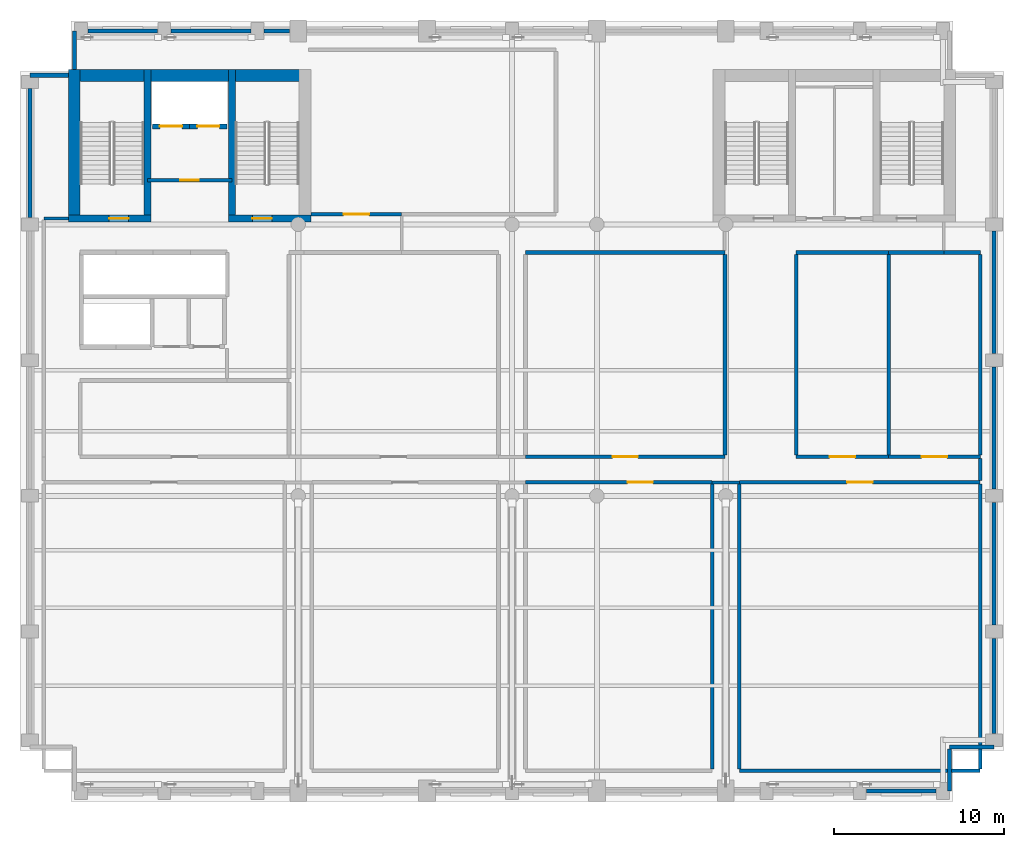
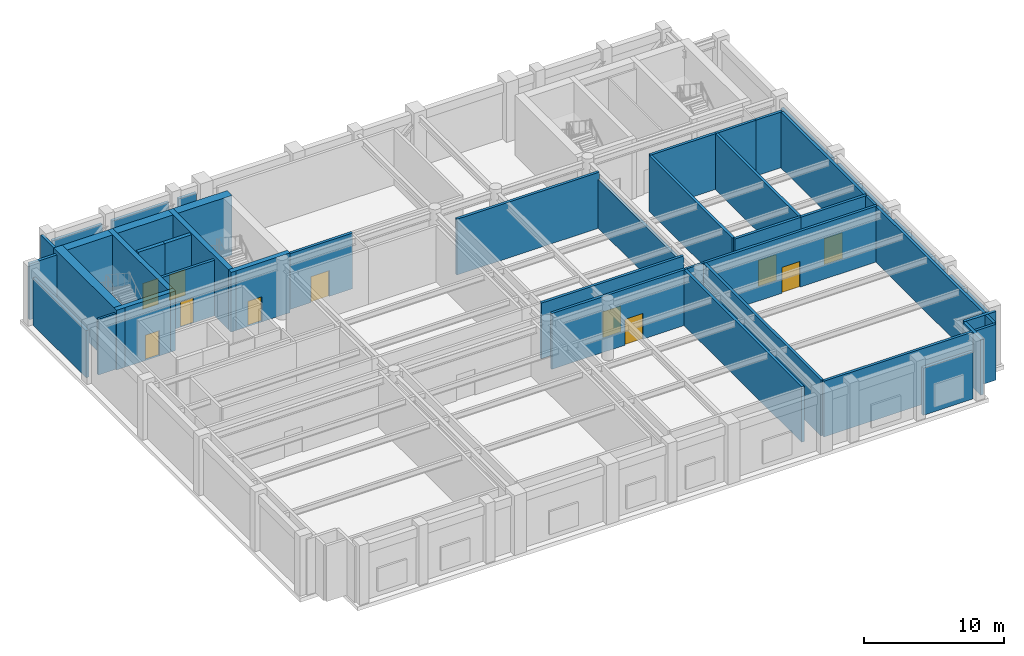
# One storey, part 6 of 11: 43 walls, 11 doors, 11 openings.
"""IFC4 building model written with IfcOpenShell, lengths in metres."""

from ifc_helpers import new_model, si_unit, direction, frame, frame_2d, origin, place, context, subcontext, project, spatial, rectangle, extrude, material, layer, layer_set, type_object, element, fill, save


model = new_model("IFC4")

# Units and contexts
model_context = context("Model", 3, precision=1e-05, world=origin(), true_north=direction((0.0, 1.0)))
body_context = subcontext(model_context, "Body", "Model", "MODEL_VIEW")
ifc_project = project(units=[si_unit("LENGTHUNIT", "METRE"), si_unit("AREAUNIT", "SQUARE_METRE"), si_unit("VOLUMEUNIT", "CUBIC_METRE"), si_unit("PLANEANGLEUNIT", "RADIAN"), si_unit("MASSUNIT", "GRAM", prefix="KILO")], contexts=[model_context])

# Site, building, storey
site_placement = place(None, origin())
site = spatial("IfcSite", under=ifc_project, at=site_placement, CompositionType="ELEMENT")
building_placement = place(site_placement, origin())
building = spatial("IfcBuilding", under=site, at=building_placement, Name="Sulina Concourse Tower", CompositionType="ELEMENT")
storey_placement = place(building_placement, frame((0.0, 0.0, 238.60009765625)))
storey = spatial("IfcBuildingStorey", under=building, at=storey_placement, Name="L58", CompositionType="ELEMENT", Elevation=238.60009765625)

# Wall, opening, door
ifc_material_1 = material(Name="Concrete C50/60", Category="concrete")
ifc_layer_1 = layer(ifc_material_1, 0.300048828125)
ifc_layer_set_1 = layer_set([ifc_layer_1], Name="Concrete C50/60")
wall_type_1 = type_object("IfcWallType", Name="Core Lift Hoistway Wall 300mm", PredefinedType="SOLIDWALL", material=ifc_layer_set_1)
wall_1_placement = place(storey_placement, frame((10.0, 39.780029296875, 0.0), z_axis=(0.0, 0.0, 1.0), x_axis=(-1.0, 0.0, 0.0)))
wall_1 = element("IfcWall", 1, at=wall_1_placement, inside=storey, type_object=wall_type_1, Name="L58 hoistway enclosure wall FFL-1", PredefinedType="SOLIDWALL", context=body_context, shape_type="SweptSolid", body=[
    extrude(rectangle(XDim=2.199951171875, YDim=0.300048828125, at=frame_2d((1.10009765625, 0.0))), origin(), (0.0, 0.0, 1.0), 5.199951171875),
])
opening_1_placement = place(wall_1_placement, frame((0.449951171875, 0.0, 0.0)))
opening_1 = element("IfcOpeningElement", 2, at=opening_1_placement, cuts=wall_1, Name="Opening LD-02", PredefinedType="OPENING", context=body_context, shape_type="SweptSolid", body=[
    extrude(rectangle(XDim=1.300048828125, YDim=2.25, at=frame_2d((0.64990234375, 1.125))), frame((0.0, 0.159912109375, 0.0), z_axis=(0.0, -1.0, 0.0), x_axis=(1.0, 0.0, 0.0)), (0.0, 0.0, 1.0), 0.320068359375),
])
ifc_material_2 = material(Name="Stainless steel lift landing door", Category="steel")
ifc_layer_2 = layer(ifc_material_2, 0.050048828125)
ifc_layer_set_2 = layer_set([ifc_layer_2], Name="Stainless steel lift landing door")
door_type_1 = type_object("IfcDoorType", Name="Firefighting Lift Sliding Landing Door 1300x2250", OperationType="SLIDING_TO_RIGHT", PredefinedType="DOOR", material=ifc_layer_set_2)
door_1_placement = place(opening_1_placement, origin())
door_1 = element("IfcDoor", 3, at=door_1_placement, inside=storey, type_object=door_type_1, Name="L58 lift landing sliding door FFL-1", OperationType="SLIDING_TO_LEFT", OverallHeight=2.25, OverallWidth=1.300048828125, PredefinedType="DOOR", context=body_context, shape_type="SweptSolid", body=[
    extrude(rectangle(XDim=1.300048828125, YDim=2.25, at=frame_2d((0.64990234375, 1.125))), frame((0.0, 0.02490234375, 0.0), z_axis=(0.0, -1.0, 0.0), x_axis=(1.0, 0.0, 0.0)), (0.0, 0.0, 1.0), 0.050048828125),
])
fill(opening_1, door_1)

wall_2_placement = place(storey_placement, frame((12.199951171875, 39.780029296875, 0.0), z_axis=(0.0, 0.0, 1.0), x_axis=(-1.0, 0.0, 0.0)))
wall_2 = element("IfcWall", 4, at=wall_2_placement, inside=storey, type_object=wall_type_1, Name="L58 hoistway enclosure wall FFL-2", PredefinedType="SOLIDWALL", context=body_context, shape_type="SweptSolid", body=[
    extrude(rectangle(XDim=2.199951171875, YDim=0.300048828125, at=frame_2d((1.10009765625, 0.0))), origin(), (0.0, 0.0, 1.0), 5.199951171875),
])
opening_2_placement = place(wall_2_placement, frame((0.449951171875, 0.0, 0.0)))
opening_2 = element("IfcOpeningElement", 5, at=opening_2_placement, cuts=wall_2, Name="Opening LD-02", PredefinedType="OPENING", context=body_context, shape_type="SweptSolid", body=[
    extrude(rectangle(XDim=1.300048828125, YDim=2.25, at=frame_2d((0.64990234375, 1.125))), frame((0.0, 0.159912109375, 0.0), z_axis=(0.0, -1.0, 0.0), x_axis=(1.0, 0.0, 0.0)), (0.0, 0.0, 1.0), 0.320068359375),
])
door_2_placement = place(opening_2_placement, origin())
door_2 = element("IfcDoor", 6, at=door_2_placement, inside=storey, type_object=door_type_1, Name="L58 lift landing sliding door FFL-2", OperationType="SLIDING_TO_RIGHT", OverallHeight=2.25, OverallWidth=1.300048828125, PredefinedType="DOOR", context=body_context, shape_type="SweptSolid", body=[
    extrude(rectangle(XDim=1.300048828125, YDim=2.25, at=frame_2d((0.64990234375, 1.125))), frame((0.0, 0.02490234375, 0.0), z_axis=(0.0, -1.0, 0.0), x_axis=(1.0, 0.0, 0.0)), (0.0, 0.0, 1.0), 0.050048828125),
])
fill(opening_2, door_2)

# Walls
ifc_material_3 = material(Name="Precast concrete C50/60", Category="concrete")
ifc_layer_3 = layer(ifc_material_3, 0.239990234375)
ifc_layer_set_3 = layer_set([ifc_layer_3], Name="Precast concrete C50/60")
wall_type_2 = type_object("IfcWallType", Name="Crown Precast Masonry-Frame Facade Wall 240mm", PredefinedType="SOLIDWALL", material=ifc_layer_set_3)
wall_3_placement = place(storey_placement, frame((54.0048828125, 0.60009765625, 0.0), z_axis=(0.0, 0.0, 1.0), x_axis=(-1.0, 0.0, 0.0)))
element("IfcWall", 7, at=wall_3_placement, inside=storey, type_object=wall_type_2, Name="L58 exterior precast wall S10", PredefinedType="SOLIDWALL", context=body_context, shape_type="SweptSolid", body=[
    extrude(rectangle(XDim=4.10986328125, YDim=0.239990234375, at=frame_2d((2.054931640625, 0.0))), origin(), (0.0, 0.0, 1.0), 4.10986328125),
])
wall_4_placement = place(storey_placement, frame((0.60009765625, 34.39501953125, 0.0), z_axis=(0.0, 0.0, 1.0), x_axis=(0.0, 1.0, 0.0)))
element("IfcWall", 8, at=wall_4_placement, inside=storey, type_object=wall_type_2, Name="L58 exterior precast wall W5", PredefinedType="SOLIDWALL", context=body_context, shape_type="SweptSolid", body=[
    extrude(rectangle(XDim=7.60986328125, YDim=0.239990234375, at=frame_2d((3.804931640625, 0.0))), origin(), (0.0, 0.0, 1.0), 4.10986328125),
])
wall_5_placement = place(storey_placement, frame((3.9951171875, 45.39990234375, 0.0), z_axis=(0.0, 0.0, 1.0), x_axis=(1.0, 0.0, 0.0)))
element("IfcWall", 9, at=wall_5_placement, inside=storey, type_object=wall_type_2, Name="L58 exterior precast wall N1", PredefinedType="SOLIDWALL", context=body_context, shape_type="SweptSolid", body=[
    extrude(rectangle(XDim=4.10986328125, YDim=0.239990234375, at=frame_2d((2.054931640625, 0.0))), origin(), (0.0, 0.0, 1.0), 4.10986328125),
])
wall_6_placement = place(storey_placement, frame((8.89501953125, 45.39990234375, 0.0), z_axis=(0.0, 0.0, 1.0), x_axis=(1.0, 0.0, 0.0)))
element("IfcWall", 10, at=wall_6_placement, inside=storey, type_object=wall_type_2, Name="L58 exterior precast wall N2", PredefinedType="SOLIDWALL", context=body_context, shape_type="SweptSolid", body=[
    extrude(rectangle(XDim=4.7099609375, YDim=0.239990234375, at=frame_2d((2.35498046875, 0.0))), origin(), (0.0, 0.0, 1.0), 4.10986328125),
])
wall_7_placement = place(storey_placement, frame((14.39501953125, 45.39990234375, 0.0), z_axis=(0.0, 0.0, 1.0), x_axis=(1.0, 0.0, 0.0)))
element("IfcWall", 11, at=wall_7_placement, inside=storey, type_object=wall_type_2, Name="L58 exterior precast wall N3", PredefinedType="SOLIDWALL", context=body_context, shape_type="SweptSolid", body=[
    extrude(rectangle(XDim=1.48486328125, YDim=0.239990234375, at=frame_2d((0.742431640625, 0.0))), origin(), (0.0, 0.0, 1.0), 4.10986328125),
])
wall_8_placement = place(storey_placement, frame((57.39990234375, 9.60498046875, 0.0), z_axis=(0.0, 0.0, 1.0), x_axis=(0.0, -1.0, 0.0)))
element("IfcWall", 12, at=wall_8_placement, inside=storey, type_object=wall_type_2, Name="L58 exterior precast wall E1", PredefinedType="SOLIDWALL", context=body_context, shape_type="SweptSolid", body=[
    extrude(rectangle(XDim=5.60986328125, YDim=0.239990234375, at=frame_2d((2.804931640625, 0.0))), origin(), (0.0, 0.0, 1.0), 4.10986328125),
])
for number, where, z_axis, x_axis, name in (
    (13, (57.39990234375, 17.60498046875, 0.0), (0.0, 0.0, 1.0), (0.0, -1.0, 0.0), "L58 exterior precast wall E2"),
    (14, (57.39990234375, 25.60498046875, 0.0), (0.0, 0.0, 1.0), (0.0, -1.0, 0.0), "L58 exterior precast wall E3"),
    (15, (57.39990234375, 33.60498046875, 0.0), (0.0, 0.0, 1.0), (0.0, -1.0, 0.0), "L58 exterior precast wall E4"),
):
    element("IfcWall", number, at=place(storey_placement, frame(where, z_axis=z_axis, x_axis=x_axis)), inside=storey, type_object=wall_type_2, Name=name, PredefinedType="SOLIDWALL", context=body_context, shape_type="SweptSolid", body=[
        extrude(rectangle(XDim=7.2099609375, YDim=0.239990234375, at=frame_2d((3.60498046875, 0.0))), origin(), (0.0, 0.0, 1.0), 4.10986328125),
    ])
wall_9_placement = place(storey_placement, frame((0.60009765625, 42.794921875, 0.0), z_axis=(0.0, 0.0, 1.0), x_axis=(1.0, 0.0, 0.0)))
element("IfcWall", 16, at=wall_9_placement, inside=storey, type_object=wall_type_2, Name="L58 exterior precast wall CNW1", PredefinedType="SOLIDWALL", context=body_context, shape_type="SweptSolid", body=[
    extrude(rectangle(XDim=2.244873046875, YDim=0.239990234375, at=frame_2d((1.12255859375, 0.0))), origin(), (0.0, 0.0, 1.0), 4.85986328125),
])
wall_10_placement = place(storey_placement, frame((3.205078125, 43.135009765625, 0.0), z_axis=(0.0, 0.0, 1.0), x_axis=(0.0, 1.0, 0.0)))
element("IfcWall", 17, at=wall_10_placement, inside=storey, type_object=wall_type_2, Name="L58 exterior precast wall CNW2", PredefinedType="SOLIDWALL", context=body_context, shape_type="SweptSolid", body=[
    extrude(rectangle(XDim=2.264892578125, YDim=0.239990234375, at=frame_2d((1.13232421875, 0.0))), origin(), (0.0, 0.0, 1.0), 4.85986328125),
])
wall_11_placement = place(storey_placement, frame((57.39990234375, 3.205078125, 0.0), z_axis=(0.0, 0.0, 1.0), x_axis=(-1.0, 0.0, 0.0)))
element("IfcWall", 18, at=wall_11_placement, inside=storey, type_object=wall_type_2, Name="L58 exterior precast wall CSE1", PredefinedType="SOLIDWALL", context=body_context, shape_type="SweptSolid", body=[
    extrude(rectangle(XDim=2.60498046875, YDim=0.239990234375, at=frame_2d((1.302490234375, 0.0))), origin(), (0.0, 0.0, 1.0), 4.85986328125),
])
wall_12_placement = place(storey_placement, frame((54.794921875, 3.080078125, 0.0), z_axis=(0.0, 0.0, 1.0), x_axis=(0.0, -1.0, 0.0)))
element("IfcWall", 19, at=wall_12_placement, inside=storey, type_object=wall_type_2, Name="L58 exterior precast wall CSE2", PredefinedType="SOLIDWALL", context=body_context, shape_type="SweptSolid", body=[
    extrude(rectangle(XDim=2.47998046875, YDim=0.239990234375, at=frame_2d((1.239990234375, 0.0))), origin(), (0.0, 0.0, 1.0), 4.85986328125),
])

# Wall, opening, door
ifc_material_4 = material(Name="Gypsum board on steel stud", Category="steel")
ifc_layer_4 = layer(ifc_material_4, 0.219970703125)
ifc_layer_set_4 = layer_set([ifc_layer_4], Name="Gypsum board on steel stud")
wall_type_3 = type_object("IfcWallType", Name="Fire-Rated Lobby & Compartment Wall 220mm", PredefinedType="PARTITIONING", material=ifc_layer_set_4)
wall_13_placement = place(storey_placement, frame((7.510009765625, 36.60009765625, 0.0), z_axis=(0.0, 0.0, 1.0), x_axis=(1.0, 0.0, 0.0)))
wall_13 = element("IfcWall", 20, at=wall_13_placement, inside=storey, type_object=wall_type_3, Name="L58 firefighting lobby south fire wall", PredefinedType="PARTITIONING", context=body_context, shape_type="SweptSolid", body=[
    extrude(rectangle(XDim=4.97998046875, YDim=0.219970703125, at=frame_2d((2.489990234375, 0.0))), origin(), (0.0, 0.0, 1.0), 4.85986328125),
])
opening_3_placement = place(wall_13_placement, frame((1.93994140625, 0.0, 0.0)))
opening_3 = element("IfcOpeningElement", 21, at=opening_3_placement, cuts=wall_13, Name="Opening DR-47", PredefinedType="OPENING", context=body_context, shape_type="SweptSolid", body=[
    extrude(rectangle(XDim=1.10009765625, YDim=2.199951171875, at=frame_2d((0.550048828125, 1.10009765625))), frame((0.0, 0.119873046875, 0.0), z_axis=(0.0, -1.0, 0.0), x_axis=(1.0, 0.0, 0.0)), (0.0, 0.0, 1.0), 0.239990234375),
])
ifc_material_5 = material(Name="Galvanised steel acoustic fire leaf", Category="steel")
ifc_layer_5 = layer(ifc_material_5, 0.054931640625)
ifc_layer_set_5 = layer_set([ifc_layer_5], Name="Galvanised steel acoustic fire leaf")
door_type_2 = type_object("IfcDoorType", Name="Firefighting Lobby Fire Door 1100x2200", OperationType="NOTDEFINED", PredefinedType="DOOR", material=ifc_layer_set_5)
door_3_placement = place(opening_3_placement, origin())
door_3 = element("IfcDoor", 22, at=door_3_placement, inside=storey, type_object=door_type_2, Name="L58 firefighting lobby fire door", OperationType="SINGLE_SWING_LEFT", OverallHeight=2.199951171875, OverallWidth=1.10009765625, PredefinedType="DOOR", context=body_context, shape_type="SweptSolid", body=[
    extrude(rectangle(XDim=1.10009765625, YDim=2.199951171875, at=frame_2d((0.550048828125, 1.10009765625))), frame((0.0, 0.02490234375, 0.0), z_axis=(0.0, -1.0, 0.0), x_axis=(1.0, 0.0, 0.0)), (0.0, 0.0, 1.0), 0.050048828125),
])
fill(opening_3, door_3)

# Wall
wall_14_placement = place(storey_placement, frame((42.39990234375, 1.800048828125, 0.0), z_axis=(0.0, 0.0, 1.0), x_axis=(1.0, 0.0, 0.0)))
element("IfcWall", 23, at=wall_14_placement, inside=storey, type_object=wall_type_3, Name="L58 interior partition 004", PredefinedType="PARTITIONING", context=body_context, shape_type="SweptSolid", body=[
    extrude(rectangle(XDim=14.2001953125, YDim=0.219970703125, at=frame_2d((7.10009765625, 0.0))), origin(), (0.0, 0.0, 1.0), 4.85986328125),
])

# Wall, opening, door
wall_15_placement = place(storey_placement, frame((29.800048828125, 18.800048828125, 0.0), z_axis=(0.0, 0.0, 1.0), x_axis=(1.0, 0.0, 0.0)))
wall_15 = element("IfcWall", 24, at=wall_15_placement, inside=storey, type_object=wall_type_3, Name="L58 interior partition 009", PredefinedType="PARTITIONING", context=body_context, shape_type="SweptSolid", body=[
    extrude(rectangle(XDim=11.0, YDim=0.219970703125, at=frame_2d((5.5, 0.0))), origin(), (0.0, 0.0, 1.0), 4.85986328125),
])
opening_4_placement = place(wall_15_placement, frame((6.010009765625, 0.0, 0.0)))
opening_4 = element("IfcOpeningElement", 25, at=opening_4_placement, cuts=wall_15, Name="Opening DR-80", PredefinedType="OPENING", context=body_context, shape_type="SweptSolid", body=[
    extrude(rectangle(XDim=1.5, YDim=2.25, at=frame_2d((0.75, 1.125))), frame((0.0, 0.119873046875, 0.0), z_axis=(0.0, -1.0, 0.0), x_axis=(1.0, 0.0, 0.0)), (0.0, 0.0, 1.0), 0.239990234375),
])
ifc_material_6 = material(Name="Galvanised steel acoustic fire leaf", Category="steel")
ifc_layer_6 = layer(ifc_material_6, 0.054931640625)
ifc_layer_set_6 = layer_set([ifc_layer_6], Name="Galvanised steel acoustic fire leaf")
door_type_3 = type_object("IfcDoorType", Name="Mechanical Plant Double Fire Door 1500x2250", OperationType="DOUBLE_DOOR_SINGLE_SWING", PredefinedType="DOOR", material=ifc_layer_set_6)
door_4_placement = place(opening_4_placement, origin())
door_4 = element("IfcDoor", 26, at=door_4_placement, inside=storey, type_object=door_type_3, Name="L58 interior door L58-CHILLER-2", OperationType="DOUBLE_DOOR_SINGLE_SWING", OverallHeight=2.25, OverallWidth=1.5, PredefinedType="DOOR", context=body_context, shape_type="SweptSolid", body=[
    extrude(rectangle(XDim=1.5, YDim=2.25, at=frame_2d((0.75, 1.125))), frame((0.0, 0.02490234375, 0.0), z_axis=(0.0, -1.0, 0.0), x_axis=(1.0, 0.0, 0.0)), (0.0, 0.0, 1.0), 0.050048828125),
])
fill(opening_4, door_4)

wall_16_placement = place(storey_placement, frame((42.39990234375, 18.800048828125, 0.0), z_axis=(0.0, 0.0, 1.0), x_axis=(1.0, 0.0, 0.0)))
wall_16 = element("IfcWall", 27, at=wall_16_placement, inside=storey, type_object=wall_type_3, Name="L58 interior partition 011", PredefinedType="PARTITIONING", context=body_context, shape_type="SweptSolid", body=[
    extrude(rectangle(XDim=14.2001953125, YDim=0.219970703125, at=frame_2d((7.10009765625, 0.0))), origin(), (0.0, 0.0, 1.0), 4.85986328125),
])
opening_5_placement = place(wall_16_placement, frame((6.35009765625, 0.0, 0.0)))
opening_5 = element("IfcOpeningElement", 28, at=opening_5_placement, cuts=wall_16, Name="Opening DR-80", PredefinedType="OPENING", context=body_context, shape_type="SweptSolid", body=[
    extrude(rectangle(XDim=1.5, YDim=2.25, at=frame_2d((0.75, 1.125))), frame((0.0, 0.119873046875, 0.0), z_axis=(0.0, -1.0, 0.0), x_axis=(1.0, 0.0, 0.0)), (0.0, 0.0, 1.0), 0.239990234375),
])
door_5_placement = place(opening_5_placement, origin())
door_5 = element("IfcDoor", 29, at=door_5_placement, inside=storey, type_object=door_type_3, Name="L58 interior door L58-AHU-RM2", OperationType="DOUBLE_DOOR_SINGLE_SWING", OverallHeight=2.25, OverallWidth=1.5, PredefinedType="DOOR", context=body_context, shape_type="SweptSolid", body=[
    extrude(rectangle(XDim=1.5, YDim=2.25, at=frame_2d((0.75, 1.125))), frame((0.0, 0.02490234375, 0.0), z_axis=(0.0, -1.0, 0.0), x_axis=(1.0, 0.0, 0.0)), (0.0, 0.0, 1.0), 0.050048828125),
])
fill(opening_5, door_5)

wall_17_placement = place(storey_placement, frame((29.800048828125, 20.300048828125, 0.0), z_axis=(0.0, 0.0, 1.0), x_axis=(1.0, 0.0, 0.0)))
wall_17 = element("IfcWall", 30, at=wall_17_placement, inside=storey, type_object=wall_type_3, Name="L58 interior partition 015", PredefinedType="PARTITIONING", context=body_context, shape_type="SweptSolid", body=[
    extrude(rectangle(XDim=11.75, YDim=0.219970703125, at=frame_2d((5.875, 0.0))), origin(), (0.0, 0.0, 1.0), 4.85986328125),
])
opening_6_placement = place(wall_17_placement, frame((5.125, 0.0, 0.0)))
opening_6 = element("IfcOpeningElement", 31, at=opening_6_placement, cuts=wall_17, Name="Opening DR-80", PredefinedType="OPENING", context=body_context, shape_type="SweptSolid", body=[
    extrude(rectangle(XDim=1.5, YDim=2.25, at=frame_2d((0.75, 1.125))), frame((0.0, 0.119873046875, 0.0), z_axis=(0.0, -1.0, 0.0), x_axis=(1.0, 0.0, 0.0)), (0.0, 0.0, 1.0), 0.239990234375),
])
door_6_placement = place(opening_6_placement, origin())
door_6 = element("IfcDoor", 32, at=door_6_placement, inside=storey, type_object=door_type_3, Name="L58 interior door L58-BMS-RM", OperationType="DOUBLE_DOOR_SINGLE_SWING", OverallHeight=2.25, OverallWidth=1.5, PredefinedType="DOOR", context=body_context, shape_type="SweptSolid", body=[
    extrude(rectangle(XDim=1.5, YDim=2.25, at=frame_2d((0.75, 1.125))), frame((0.0, 0.02490234375, 0.0), z_axis=(0.0, -1.0, 0.0), x_axis=(1.0, 0.0, 0.0)), (0.0, 0.0, 1.0), 0.050048828125),
])
fill(opening_6, door_6)

wall_18_placement = place(storey_placement, frame((45.75, 20.300048828125, 0.0), z_axis=(0.0, 0.0, 1.0), x_axis=(1.0, 0.0, 0.0)))
wall_18 = element("IfcWall", 33, at=wall_18_placement, inside=storey, type_object=wall_type_3, Name="L58 interior partition 016", PredefinedType="PARTITIONING", context=body_context, shape_type="SweptSolid", body=[
    extrude(rectangle(XDim=5.449951171875, YDim=0.219970703125, at=frame_2d((2.72509765625, 0.0))), origin(), (0.0, 0.0, 1.0), 4.85986328125),
])
opening_7_placement = place(wall_18_placement, frame((1.97509765625, 0.0, 0.0)))
opening_7 = element("IfcOpeningElement", 34, at=opening_7_placement, cuts=wall_18, Name="Opening DR-80", PredefinedType="OPENING", context=body_context, shape_type="SweptSolid", body=[
    extrude(rectangle(XDim=1.5, YDim=2.25, at=frame_2d((0.75, 1.125))), frame((0.0, 0.119873046875, 0.0), z_axis=(0.0, -1.0, 0.0), x_axis=(1.0, 0.0, 0.0)), (0.0, 0.0, 1.0), 0.239990234375),
])
door_7_placement = place(opening_7_placement, origin())
door_7 = element("IfcDoor", 35, at=door_7_placement, inside=storey, type_object=door_type_3, Name="L58 interior door L58-PMP-RM1", OperationType="DOUBLE_DOOR_SINGLE_SWING", OverallHeight=2.25, OverallWidth=1.5, PredefinedType="DOOR", context=body_context, shape_type="SweptSolid", body=[
    extrude(rectangle(XDim=1.5, YDim=2.25, at=frame_2d((0.75, 1.125))), frame((0.0, 0.02490234375, 0.0), z_axis=(0.0, -1.0, 0.0), x_axis=(1.0, 0.0, 0.0)), (0.0, 0.0, 1.0), 0.050048828125),
])
fill(opening_7, door_7)

wall_19_placement = place(storey_placement, frame((51.199951171875, 20.300048828125, 0.0), z_axis=(0.0, 0.0, 1.0), x_axis=(1.0, 0.0, 0.0)))
wall_19 = element("IfcWall", 36, at=wall_19_placement, inside=storey, type_object=wall_type_3, Name="L58 interior partition 017", PredefinedType="PARTITIONING", context=body_context, shape_type="SweptSolid", body=[
    extrude(rectangle(XDim=5.400146484375, YDim=0.219970703125, at=frame_2d((2.7001953125, 0.0))), origin(), (0.0, 0.0, 1.0), 4.85986328125),
])
opening_8_placement = place(wall_19_placement, frame((1.949951171875, 0.0, 0.0)))
opening_8 = element("IfcOpeningElement", 37, at=opening_8_placement, cuts=wall_19, Name="Opening DR-80", PredefinedType="OPENING", context=body_context, shape_type="SweptSolid", body=[
    extrude(rectangle(XDim=1.5, YDim=2.25, at=frame_2d((0.75, 1.125))), frame((0.0, 0.119873046875, 0.0), z_axis=(0.0, -1.0, 0.0), x_axis=(1.0, 0.0, 0.0)), (0.0, 0.0, 1.0), 0.239990234375),
])
door_8_placement = place(opening_8_placement, origin())
door_8 = element("IfcDoor", 38, at=door_8_placement, inside=storey, type_object=door_type_3, Name="L58 interior door L58-PMP-RM2", OperationType="DOUBLE_DOOR_SINGLE_SWING", OverallHeight=2.25, OverallWidth=1.5, PredefinedType="DOOR", context=body_context, shape_type="SweptSolid", body=[
    extrude(rectangle(XDim=1.5, YDim=2.25, at=frame_2d((0.75, 1.125))), frame((0.0, 0.02490234375, 0.0), z_axis=(0.0, -1.0, 0.0), x_axis=(1.0, 0.0, 0.0)), (0.0, 0.0, 1.0), 0.050048828125),
])
fill(opening_8, door_8)

# Walls
wall_20_placement = place(storey_placement, frame((29.800048828125, 32.35009765625, 0.0), z_axis=(0.0, 0.0, 1.0), x_axis=(1.0, 0.0, 0.0)))
element("IfcWall", 39, at=wall_20_placement, inside=storey, type_object=wall_type_3, Name="L58 interior partition 025", PredefinedType="PARTITIONING", context=body_context, shape_type="SweptSolid", body=[
    extrude(rectangle(XDim=11.75, YDim=0.219970703125, at=frame_2d((5.875, 0.0))), origin(), (0.0, 0.0, 1.0), 4.85986328125),
])
wall_21_placement = place(storey_placement, frame((45.75, 32.35009765625, 0.0), z_axis=(0.0, 0.0, 1.0), x_axis=(1.0, 0.0, 0.0)))
element("IfcWall", 40, at=wall_21_placement, inside=storey, type_object=wall_type_3, Name="L58 interior partition 026", PredefinedType="PARTITIONING", context=body_context, shape_type="SweptSolid", body=[
    extrude(rectangle(XDim=5.449951171875, YDim=0.219970703125, at=frame_2d((2.72509765625, 0.0))), origin(), (0.0, 0.0, 1.0), 4.85986328125),
])
wall_22_placement = place(storey_placement, frame((51.199951171875, 32.35009765625, 0.0), z_axis=(0.0, 0.0, 1.0), x_axis=(1.0, 0.0, 0.0)))
element("IfcWall", 41, at=wall_22_placement, inside=storey, type_object=wall_type_3, Name="L58 interior partition 027", PredefinedType="PARTITIONING", context=body_context, shape_type="SweptSolid", body=[
    extrude(rectangle(XDim=3.25, YDim=0.219970703125, at=frame_2d((1.625, 0.0))), origin(), (0.0, 0.0, 1.0), 4.85986328125),
])
wall_23_placement = place(storey_placement, frame((54.449951171875, 32.35009765625, 0.0), z_axis=(0.0, 0.0, 1.0), x_axis=(1.0, 0.0, 0.0)))
element("IfcWall", 42, at=wall_23_placement, inside=storey, type_object=wall_type_3, Name="L58 interior partition 028", PredefinedType="PARTITIONING", context=body_context, shape_type="SweptSolid", body=[
    extrude(rectangle(XDim=2.150146484375, YDim=0.219970703125, at=frame_2d((1.0751953125, 0.0))), origin(), (0.0, 0.0, 1.0), 4.85986328125),
])

# Wall, opening, door
wall_24_placement = place(storey_placement, frame((17.14990234375, 34.60009765625, 0.0), z_axis=(0.0, 0.0, 1.0), x_axis=(1.0, 0.0, 0.0)))
wall_24 = element("IfcWall", 43, at=wall_24_placement, inside=storey, type_object=wall_type_3, Name="L58 interior partition 030", PredefinedType="PARTITIONING", context=body_context, shape_type="SweptSolid", body=[
    extrude(rectangle(XDim=5.35009765625, YDim=0.219970703125, at=frame_2d((2.675048828125, 0.0))), origin(), (0.0, 0.0, 1.0), 4.85986328125),
])
opening_9_placement = place(wall_24_placement, frame((1.925048828125, 0.0, 0.0)))
opening_9 = element("IfcOpeningElement", 44, at=opening_9_placement, cuts=wall_24, Name="Opening DR-80", PredefinedType="OPENING", context=body_context, shape_type="SweptSolid", body=[
    extrude(rectangle(XDim=1.5, YDim=2.25, at=frame_2d((0.75, 1.125))), frame((0.0, 0.119873046875, 0.0), z_axis=(0.0, -1.0, 0.0), x_axis=(1.0, 0.0, 0.0)), (0.0, 0.0, 1.0), 0.239990234375),
])
door_9_placement = place(opening_9_placement, origin())
door_9 = element("IfcDoor", 45, at=door_9_placement, inside=storey, type_object=door_type_3, Name="L58 interior door L58-REFUGE", OperationType="DOUBLE_DOOR_SINGLE_SWING", OverallHeight=2.25, OverallWidth=1.5, PredefinedType="DOOR", context=body_context, shape_type="SweptSolid", body=[
    extrude(rectangle(XDim=1.5, YDim=2.25, at=frame_2d((0.75, 1.125))), frame((0.0, 0.02490234375, 0.0), z_axis=(0.0, -1.0, 0.0), x_axis=(1.0, 0.0, 0.0)), (0.0, 0.0, 1.0), 0.050048828125),
])
fill(opening_9, door_9)

# Walls
wall_25_placement = place(storey_placement, frame((40.800048828125, 1.909912109375, 0.0), z_axis=(0.0, 0.0, 1.0), x_axis=(0.0, 1.0, 0.0)))
element("IfcWall", 46, at=wall_25_placement, inside=storey, type_object=wall_type_3, Name="L58 interior partition 052", PredefinedType="PARTITIONING", context=body_context, shape_type="SweptSolid", body=[
    extrude(rectangle(XDim=16.780029296875, YDim=0.219970703125, at=frame_2d((8.39013671875, 0.0))), origin(), (0.0, 0.0, 1.0), 4.85986328125),
])
wall_26_placement = place(storey_placement, frame((41.550048828125, 20.409912109375, 0.0), z_axis=(0.0, 0.0, 1.0), x_axis=(0.0, 1.0, 0.0)))
element("IfcWall", 47, at=wall_26_placement, inside=storey, type_object=wall_type_3, Name="L58 interior partition 053", PredefinedType="PARTITIONING", context=body_context, shape_type="SweptSolid", body=[
    extrude(rectangle(XDim=11.830078125, YDim=0.219970703125, at=frame_2d((5.9150390625, 0.0))), origin(), (0.0, 0.0, 1.0), 4.2548828125),
])
wall_27_placement = place(storey_placement, frame((42.39990234375, 1.909912109375, 0.0), z_axis=(0.0, 0.0, 1.0), x_axis=(0.0, 1.0, 0.0)))
element("IfcWall", 48, at=wall_27_placement, inside=storey, type_object=wall_type_3, Name="L58 interior partition 055", PredefinedType="PARTITIONING", context=body_context, shape_type="SweptSolid", body=[
    extrude(rectangle(XDim=16.780029296875, YDim=0.219970703125, at=frame_2d((8.39013671875, 0.0))), origin(), (0.0, 0.0, 1.0), 4.85986328125),
])
for number, where, z_axis, x_axis, name in (
    (49, (45.75, 20.409912109375, 0.0), (0.0, 0.0, 1.0), (0.0, 1.0, 0.0), "L58 interior partition 056"),
    (50, (51.199951171875, 20.409912109375, 0.0), (0.0, 0.0, 1.0), (0.0, 1.0, 0.0), "L58 interior partition 058"),
):
    element("IfcWall", number, at=place(storey_placement, frame(where, z_axis=z_axis, x_axis=x_axis)), inside=storey, type_object=wall_type_3, Name=name, PredefinedType="PARTITIONING", context=body_context, shape_type="SweptSolid", body=[
        extrude(rectangle(XDim=11.830078125, YDim=0.219970703125, at=frame_2d((5.9150390625, 0.0))), origin(), (0.0, 0.0, 1.0), 4.85986328125),
    ])
wall_28_placement = place(storey_placement, frame((56.60009765625, 1.909912109375, 0.0), z_axis=(0.0, 0.0, 1.0), x_axis=(0.0, 1.0, 0.0)))
element("IfcWall", 51, at=wall_28_placement, inside=storey, type_object=wall_type_3, Name="L58 interior partition 060", PredefinedType="PARTITIONING", context=body_context, shape_type="SweptSolid", body=[
    extrude(rectangle(XDim=16.780029296875, YDim=0.219970703125, at=frame_2d((8.39013671875, 0.0))), origin(), (0.0, 0.0, 1.0), 4.85986328125),
])
wall_29_placement = place(storey_placement, frame((56.60009765625, 20.409912109375, 0.0), z_axis=(0.0, 0.0, 1.0), x_axis=(0.0, 1.0, 0.0)))
element("IfcWall", 52, at=wall_29_placement, inside=storey, type_object=wall_type_3, Name="L58 interior partition 062", PredefinedType="PARTITIONING", context=body_context, shape_type="SweptSolid", body=[
    extrude(rectangle(XDim=11.830078125, YDim=0.219970703125, at=frame_2d((5.9150390625, 0.0))), origin(), (0.0, 0.0, 1.0), 4.85986328125),
])
ifc_material_7 = material(Name="Gypsum board on steel stud", Category="steel")
ifc_layer_7 = layer(ifc_material_7, 0.179931640625)
ifc_layer_set_7 = layer_set([ifc_layer_7], Name="Gypsum board on steel stud")
wall_type_4 = type_object("IfcWallType", Name="Protected Corridor & Riser Partition 180mm", PredefinedType="PARTITIONING", material=ifc_layer_set_7)
wall_30_placement = place(storey_placement, frame((40.800048828125, 18.800048828125, 0.0), z_axis=(0.0, 0.0, 1.0), x_axis=(1.0, 0.0, 0.0)))
element("IfcWall", 53, at=wall_30_placement, inside=storey, type_object=wall_type_4, Name="L58 interior partition 010", PredefinedType="PARTITIONING", context=body_context, shape_type="SweptSolid", body=[
    extrude(rectangle(XDim=1.599853515625, YDim=0.179931640625, at=frame_2d((0.7998046875, 0.0))), origin(), (0.0, 0.0, 1.0), 4.85986328125),
])
wall_31_placement = place(storey_placement, frame((1.39990234375, 34.35009765625, 0.0), z_axis=(0.0, 0.0, 1.0), x_axis=(1.0, 0.0, 0.0)))
element("IfcWall", 54, at=wall_31_placement, inside=storey, type_object=wall_type_4, Name="L58 interior partition 029", PredefinedType="PARTITIONING", context=body_context, shape_type="SweptSolid", body=[
    extrude(rectangle(XDim=1.4501953125, YDim=0.179931640625, at=frame_2d((0.72509765625, 0.0))), origin(), (0.0, 0.0, 1.0), 4.85986328125),
])
wall_32_placement = place(storey_placement, frame((56.60009765625, 18.909912109375, 0.0), z_axis=(0.0, 0.0, 1.0), x_axis=(0.0, 1.0, 0.0)))
element("IfcWall", 55, at=wall_32_placement, inside=storey, type_object=wall_type_4, Name="L58 interior partition 061", PredefinedType="PARTITIONING", context=body_context, shape_type="SweptSolid", body=[
    extrude(rectangle(XDim=1.280029296875, YDim=0.179931640625, at=frame_2d((0.64013671875, 0.0))), origin(), (0.0, 0.0, 1.0), 4.85986328125),
])

# Wall, opening, door
ifc_material_8 = material(Name="Concrete C60/75", Category="concrete")
ifc_layer_8 = layer(ifc_material_8, 0.39990234375)
ifc_layer_set_8 = layer_set([ifc_layer_8], Name="Concrete C60/75")
wall_type_5 = type_object("IfcWallType", Name="Protected Stair Core Shear Wall 400mm", PredefinedType="SHEAR", material=ifc_layer_set_8)
wall_33_placement = place(storey_placement, frame((2.85009765625, 34.35009765625, 0.0), z_axis=(0.0, 0.0, 1.0), x_axis=(1.0, 0.0, 0.0)))
wall_33 = element("IfcWall", 56, at=wall_33_placement, inside=storey, type_object=wall_type_5, Name="L58 west core shear wall CW-WS1", PredefinedType="SHEAR", context=body_context, shape_type="SweptSolid", body=[
    extrude(rectangle(XDim=4.85986328125, YDim=0.39990234375, at=frame_2d((2.429931640625, 0.0))), origin(), (0.0, 0.0, 1.0), 5.199951171875),
])
opening_10_placement = place(wall_33_placement, frame((2.39990234375, 0.0, 0.0)))
opening_10 = element("IfcOpeningElement", 57, at=opening_10_placement, cuts=wall_33, Name="Opening DR-60", PredefinedType="OPENING", context=body_context, shape_type="SweptSolid", body=[
    extrude(rectangle(XDim=1.14990234375, YDim=2.199951171875, at=frame_2d((0.574951171875, 1.10009765625))), frame((0.0, 0.2099609375, 0.0), z_axis=(0.0, -1.0, 0.0), x_axis=(1.0, 0.0, 0.0)), (0.0, 0.0, 1.0), 0.419921875),
])
ifc_material_9 = material(Name="Galvanised steel acoustic fire leaf", Category="steel")
ifc_layer_9 = layer(ifc_material_9, 0.054931640625)
ifc_layer_set_9 = layer_set([ifc_layer_9], Name="Galvanised steel acoustic fire leaf")
door_type_4 = type_object("IfcDoorType", Name="Protected Exit Stair Fire Door 1150x2200", OperationType="NOTDEFINED", PredefinedType="DOOR", material=ifc_layer_set_9)
door_10_placement = place(opening_10_placement, origin())
door_10 = element("IfcDoor", 58, at=door_10_placement, inside=storey, type_object=door_type_4, Name="L58 stair ST-1 lobby fire door", OperationType="SINGLE_SWING_LEFT", OverallHeight=2.199951171875, OverallWidth=1.14990234375, PredefinedType="DOOR", context=body_context, shape_type="SweptSolid", body=[
    extrude(rectangle(XDim=1.14990234375, YDim=2.199951171875, at=frame_2d((0.574951171875, 1.10009765625))), frame((0.0, 0.02490234375, 0.0), z_axis=(0.0, -1.0, 0.0), x_axis=(1.0, 0.0, 0.0)), (0.0, 0.0, 1.0), 0.050048828125),
])
fill(opening_10, door_10)

wall_34_placement = place(storey_placement, frame((12.2900390625, 34.35009765625, 0.0), z_axis=(0.0, 0.0, 1.0), x_axis=(1.0, 0.0, 0.0)))
wall_34 = element("IfcWall", 59, at=wall_34_placement, inside=storey, type_object=wall_type_5, Name="L58 west core shear wall CW-WS2", PredefinedType="SHEAR", context=body_context, shape_type="SweptSolid", body=[
    extrude(rectangle(XDim=4.85986328125, YDim=0.39990234375, at=frame_2d((2.429931640625, 0.0))), origin(), (0.0, 0.0, 1.0), 5.199951171875),
])
opening_11_placement = place(wall_34_placement, frame((1.39990234375, 0.0, 0.0)))
opening_11 = element("IfcOpeningElement", 60, at=opening_11_placement, cuts=wall_34, Name="Opening DR-60", PredefinedType="OPENING", context=body_context, shape_type="SweptSolid", body=[
    extrude(rectangle(XDim=1.14990234375, YDim=2.199951171875, at=frame_2d((0.574951171875, 1.10009765625))), frame((0.0, 0.2099609375, 0.0), z_axis=(0.0, -1.0, 0.0), x_axis=(1.0, 0.0, 0.0)), (0.0, 0.0, 1.0), 0.419921875),
])
door_11_placement = place(opening_11_placement, origin())
door_11 = element("IfcDoor", 61, at=door_11_placement, inside=storey, type_object=door_type_4, Name="L58 stair ST-2 lobby fire door", OperationType="SINGLE_SWING_RIGHT", OverallHeight=2.199951171875, OverallWidth=1.14990234375, PredefinedType="DOOR", context=body_context, shape_type="SweptSolid", body=[
    extrude(rectangle(XDim=1.14990234375, YDim=2.199951171875, at=frame_2d((0.574951171875, 1.10009765625))), frame((0.0, 0.02490234375, 0.0), z_axis=(0.0, -1.0, 0.0), x_axis=(1.0, 0.0, 0.0)), (0.0, 0.0, 1.0), 0.050048828125),
])
fill(opening_11, door_11)

# Walls
for number, where, z_axis, x_axis, name in (
    (62, (7.510009765625, 34.14990234375, 0.0), (0.0, 0.0, 1.0), (0.0, 1.0, 0.0), "L58 west core shear wall SW-ST1"),
    (63, (12.489990234375, 34.14990234375, 0.0), (0.0, 0.0, 1.0), (0.0, 1.0, 0.0), "L58 west core shear wall SW-ST2"),
):
    element("IfcWall", number, at=place(storey_placement, frame(where, z_axis=z_axis, x_axis=x_axis)), inside=storey, type_object=wall_type_5, Name=name, PredefinedType="SHEAR", context=body_context, shape_type="SweptSolid", body=[
        extrude(rectangle(XDim=8.97998046875, YDim=0.39990234375, at=frame_2d((4.489990234375, 0.0))), origin(), (0.0, 0.0, 1.0), 5.199951171875),
    ])
ifc_material_10 = material(Name="Concrete C60/75", Category="concrete")
ifc_layer_10 = layer(ifc_material_10, 0.699951171875)
ifc_layer_set_10 = layer_set([ifc_layer_10], Name="Concrete C60/75")
wall_type_6 = type_object("IfcWallType", Name="Rear Core Shear Wall 700mm", PredefinedType="SHEAR", material=ifc_layer_set_10)
wall_35_placement = place(storey_placement, frame((2.85009765625, 42.780029296875, 0.0), z_axis=(0.0, 0.0, 1.0), x_axis=(1.0, 0.0, 0.0)))
element("IfcWall", 64, at=wall_35_placement, inside=storey, type_object=wall_type_6, Name="L58 west core shear wall CW-WN", PredefinedType="SHEAR", context=body_context, shape_type="SweptSolid", body=[
    extrude(rectangle(XDim=14.2998046875, YDim=0.699951171875, at=frame_2d((7.14990234375, 0.0))), origin(), (0.0, 0.0, 1.0), 5.199951171875),
])
wall_36_placement = place(storey_placement, frame((3.199951171875, 34.14990234375, 0.0), z_axis=(0.0, 0.0, 1.0), x_axis=(0.0, 1.0, 0.0)))
element("IfcWall", 65, at=wall_36_placement, inside=storey, type_object=wall_type_6, Name="L58 west core shear wall CW-WW", PredefinedType="SHEAR", context=body_context, shape_type="SweptSolid", body=[
    extrude(rectangle(XDim=8.97998046875, YDim=0.699951171875, at=frame_2d((4.489990234375, 0.0))), origin(), (0.0, 0.0, 1.0), 5.199951171875),
])

save(model, "model.ifc")
